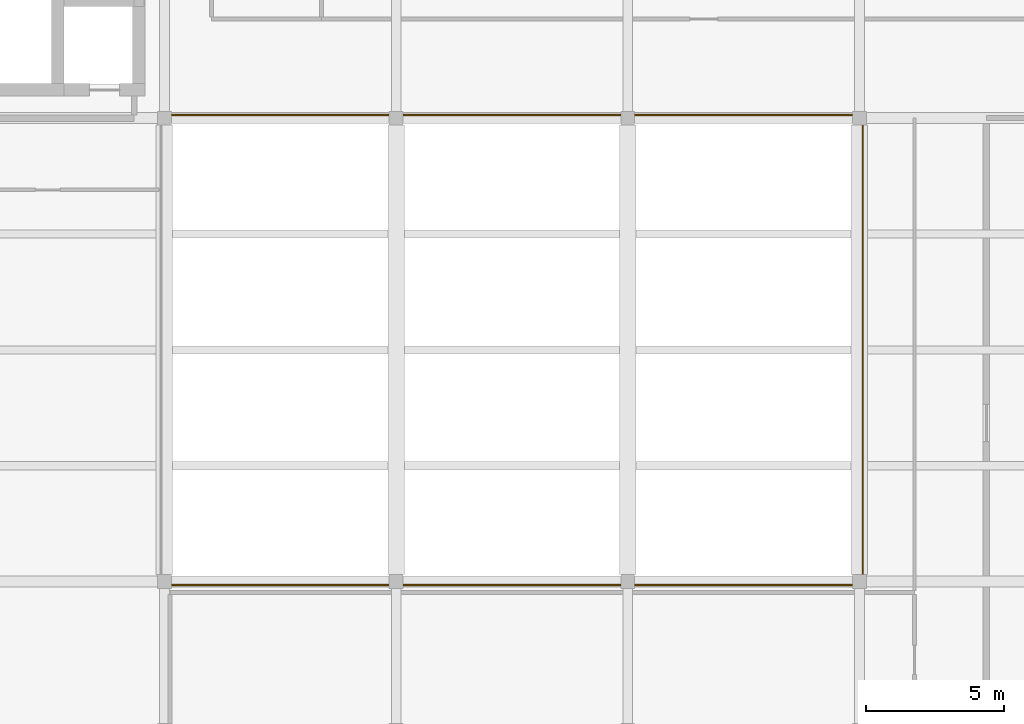
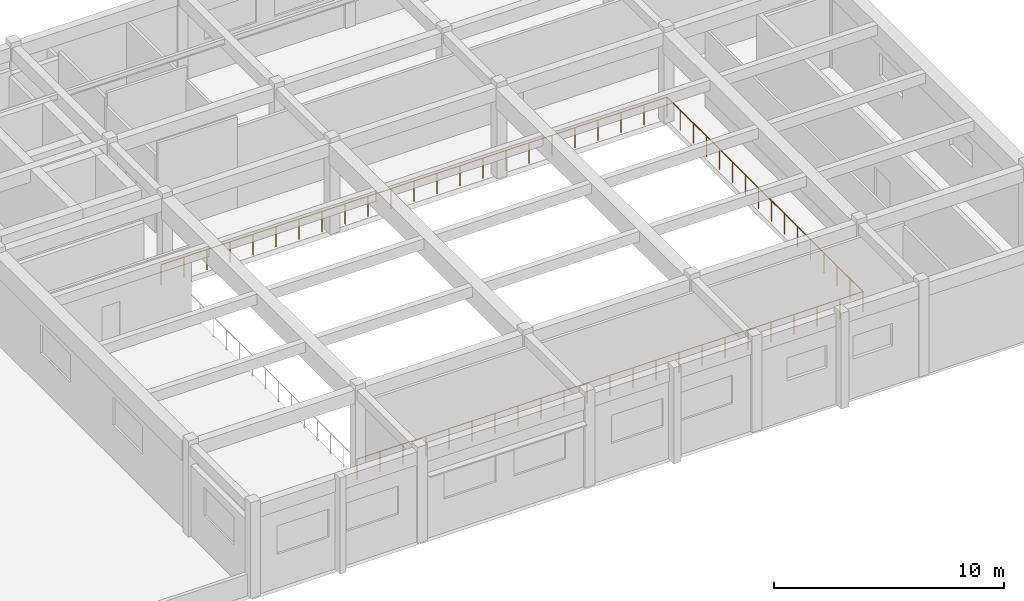
# One storey, part 75 of 77: 3 railings.
"""IFC4 building model written with IfcOpenShell, lengths in metres."""

from ifc_helpers import new_model, si_unit, direction, frame, origin, origin_2d, place, context, subcontext, project, spatial, circle, extrude, material, type_object, element, save


model = new_model("IFC4")

# Units and contexts
model_context = context("Model", 3, precision=1e-05, world=origin(), true_north=direction((0.0, 1.0)))
body_context = subcontext(model_context, "Body", "Model", "MODEL_VIEW")
ifc_project = project(units=[si_unit("LENGTHUNIT", "METRE"), si_unit("AREAUNIT", "SQUARE_METRE"), si_unit("VOLUMEUNIT", "CUBIC_METRE"), si_unit("PLANEANGLEUNIT", "RADIAN"), si_unit("MASSUNIT", "GRAM", prefix="KILO")], contexts=[model_context])

# Site, building, storey
site_placement = place(None, origin())
site = spatial("IfcSite", under=ifc_project, at=site_placement, CompositionType="ELEMENT")
building_placement = place(site_placement, origin())
building = spatial("IfcBuilding", under=site, at=building_placement, Name="Krzemoval Escarpment Law Courts", CompositionType="ELEMENT")
storey_placement = place(building_placement, frame((0.0, 0.0, 15.300048828125)))
storey = spatial("IfcBuildingStorey", under=building, at=storey_placement, Name="L03", CompositionType="ELEMENT", Elevation=15.300048828125)

# Railings
ifc_material = material(Name="Stainless Steel Grade 316L and Laminated Safety Glass Guard", Category="steel")
railing_type = type_object("IfcRailingType", Name="RL-BAL-1100", PredefinedType="BALUSTRADE", material=ifc_material)
railing_1_placement = place(storey_placement, frame((117.47998046875, 5.280029296875, 0.0)))
element("IfcRailing", 1, at=railing_1_placement, inside=storey, type_object=railing_type, Name="Atrium Void Balustrade VG-L03-090", PredefinedType="BALUSTRADE", context=body_context, shape_type="SweptSolid", body=[
    extrude(circle(Radius=0.02392578125, at=origin_2d()), frame((0.0, 0.0, 1.076171875), z_axis=(1.0, 0.0, 0.0), x_axis=(0.0, 1.0, 0.0)), (0.0, 0.0, 1.0), 25.43994140625),
    extrude(circle(Radius=0.02099609375, at=origin_2d()), origin(), (0.0, 0.0, 1.0), 1.052001953125),
    extrude(circle(Radius=0.02099609375, at=origin_2d()), frame((1.15625, 0.0, 0.0)), (0.0, 0.0, 1.0), 1.052001953125),
    extrude(circle(Radius=0.02099609375, at=origin_2d()), frame((2.312744140625, 0.0, 0.0)), (0.0, 0.0, 1.0), 1.052001953125),
    extrude(circle(Radius=0.02099609375, at=origin_2d()), frame((3.468994140625, 0.0, 0.0)), (0.0, 0.0, 1.0), 1.052001953125),
    extrude(circle(Radius=0.02099609375, at=origin_2d()), frame((4.62548828125, 0.0, 0.0)), (0.0, 0.0, 1.0), 1.052001953125),
    extrude(circle(Radius=0.02099609375, at=origin_2d()), frame((5.78173828125, 0.0, 0.0)), (0.0, 0.0, 1.0), 1.052001953125),
    extrude(circle(Radius=0.02099609375, at=origin_2d()), frame((6.938232421875, 0.0, 0.0)), (0.0, 0.0, 1.0), 1.052001953125),
    extrude(circle(Radius=0.02099609375, at=origin_2d()), frame((8.094482421875, 0.0, 0.0)), (0.0, 0.0, 1.0), 1.052001953125),
    extrude(circle(Radius=0.02099609375, at=origin_2d()), frame((9.2509765625, 0.0, 0.0)), (0.0, 0.0, 1.0), 1.052001953125),
    extrude(circle(Radius=0.02099609375, at=origin_2d()), frame((10.4072265625, 0.0, 0.0)), (0.0, 0.0, 1.0), 1.052001953125),
    extrude(circle(Radius=0.02099609375, at=origin_2d()), frame((11.563720703125, 0.0, 0.0)), (0.0, 0.0, 1.0), 1.052001953125),
    extrude(circle(Radius=0.02099609375, at=origin_2d()), frame((12.719970703125, 0.0, 0.0)), (0.0, 0.0, 1.0), 1.052001953125),
    extrude(circle(Radius=0.02099609375, at=origin_2d()), frame((13.876220703125, 0.0, 0.0)), (0.0, 0.0, 1.0), 1.052001953125),
    extrude(circle(Radius=0.02099609375, at=origin_2d()), frame((15.03271484375, 0.0, 0.0)), (0.0, 0.0, 1.0), 1.052001953125),
    extrude(circle(Radius=0.02099609375, at=origin_2d()), frame((16.18896484375, 0.0, 0.0)), (0.0, 0.0, 1.0), 1.052001953125),
    extrude(circle(Radius=0.02099609375, at=origin_2d()), frame((17.345458984375, 0.0, 0.0)), (0.0, 0.0, 1.0), 1.052001953125),
    extrude(circle(Radius=0.02099609375, at=origin_2d()), frame((18.501708984375, 0.0, 0.0)), (0.0, 0.0, 1.0), 1.052001953125),
    extrude(circle(Radius=0.02099609375, at=origin_2d()), frame((19.658203125, 0.0, 0.0)), (0.0, 0.0, 1.0), 1.052001953125),
    extrude(circle(Radius=0.02099609375, at=origin_2d()), frame((20.814453125, 0.0, 0.0)), (0.0, 0.0, 1.0), 1.052001953125),
    extrude(circle(Radius=0.02099609375, at=origin_2d()), frame((21.970947265625, 0.0, 0.0)), (0.0, 0.0, 1.0), 1.052001953125),
    extrude(circle(Radius=0.02099609375, at=origin_2d()), frame((23.127197265625, 0.0, 0.0)), (0.0, 0.0, 1.0), 1.052001953125),
    extrude(circle(Radius=0.02099609375, at=origin_2d()), frame((24.28369140625, 0.0, 0.0)), (0.0, 0.0, 1.0), 1.052001953125),
    extrude(circle(Radius=0.02099609375, at=origin_2d()), frame((25.43994140625, 0.0, 0.0)), (0.0, 0.0, 1.0), 1.052001953125),
])
railing_2_placement = place(storey_placement, frame((142.919921875, 5.280029296875, 0.0)))
element("IfcRailing", 2, at=railing_2_placement, inside=storey, type_object=railing_type, Name="Atrium Void Balustrade VG-L03-091", PredefinedType="BALUSTRADE", context=body_context, shape_type="SweptSolid", body=[
    extrude(circle(Radius=0.02392578125, at=origin_2d()), frame((0.0, 0.0, 1.076171875), z_axis=(0.0, 1.0, 0.0), x_axis=(-1.0, 0.0, 0.0)), (0.0, 0.0, 1.0), 17.0400390625),
    extrude(circle(Radius=0.02099609375, at=origin_2d()), origin(), (0.0, 0.0, 1.0), 1.052001953125),
    extrude(circle(Radius=0.02099609375, at=origin_2d()), frame((0.0, 1.135986328125, 0.0)), (0.0, 0.0, 1.0), 1.052001953125),
    extrude(circle(Radius=0.02099609375, at=origin_2d()), frame((0.0, 2.27197265625, 0.0)), (0.0, 0.0, 1.0), 1.052001953125),
    extrude(circle(Radius=0.02099609375, at=origin_2d()), frame((0.0, 3.407958984375, 0.0)), (0.0, 0.0, 1.0), 1.052001953125),
    extrude(circle(Radius=0.02099609375, at=origin_2d()), frame((0.0, 4.5439453125, 0.0)), (0.0, 0.0, 1.0), 1.052001953125),
    extrude(circle(Radius=0.02099609375, at=origin_2d()), frame((0.0, 5.679931640625, 0.0)), (0.0, 0.0, 1.0), 1.052001953125),
    extrude(circle(Radius=0.02099609375, at=origin_2d()), frame((0.0, 6.81591796875, 0.0)), (0.0, 0.0, 1.0), 1.052001953125),
    extrude(circle(Radius=0.02099609375, at=origin_2d()), frame((0.0, 7.951904296875, 0.0)), (0.0, 0.0, 1.0), 1.052001953125),
    extrude(circle(Radius=0.02099609375, at=origin_2d()), frame((0.0, 9.088134765625, 0.0)), (0.0, 0.0, 1.0), 1.052001953125),
    extrude(circle(Radius=0.02099609375, at=origin_2d()), frame((0.0, 10.22412109375, 0.0)), (0.0, 0.0, 1.0), 1.052001953125),
    extrude(circle(Radius=0.02099609375, at=origin_2d()), frame((0.0, 11.360107421875, 0.0)), (0.0, 0.0, 1.0), 1.052001953125),
    extrude(circle(Radius=0.02099609375, at=origin_2d()), frame((0.0, 12.49609375, 0.0)), (0.0, 0.0, 1.0), 1.052001953125),
    extrude(circle(Radius=0.02099609375, at=origin_2d()), frame((0.0, 13.632080078125, 0.0)), (0.0, 0.0, 1.0), 1.052001953125),
    extrude(circle(Radius=0.02099609375, at=origin_2d()), frame((0.0, 14.76806640625, 0.0)), (0.0, 0.0, 1.0), 1.052001953125),
    extrude(circle(Radius=0.02099609375, at=origin_2d()), frame((0.0, 15.904052734375, 0.0)), (0.0, 0.0, 1.0), 1.052001953125),
    extrude(circle(Radius=0.02099609375, at=origin_2d()), frame((0.0, 17.0400390625, 0.0)), (0.0, 0.0, 1.0), 1.052001953125),
])
railing_3_placement = place(storey_placement, frame((142.919921875, 22.320068359375, 0.0)))
element("IfcRailing", 3, at=railing_3_placement, inside=storey, type_object=railing_type, Name="Atrium Void Balustrade VG-L03-092", PredefinedType="BALUSTRADE", context=body_context, shape_type="SweptSolid", body=[
    extrude(circle(Radius=0.02392578125, at=origin_2d()), frame((0.0, 0.0, 1.076171875), z_axis=(-1.0, 0.0, 0.0), x_axis=(0.0, -1.0, 0.0)), (0.0, 0.0, 1.0), 25.43994140625),
    extrude(circle(Radius=0.02099609375, at=origin_2d()), origin(), (0.0, 0.0, 1.0), 1.052001953125),
    extrude(circle(Radius=0.02099609375, at=origin_2d()), frame((-1.15625, 0.0, 0.0)), (0.0, 0.0, 1.0), 1.052001953125),
    extrude(circle(Radius=0.02099609375, at=origin_2d()), frame((-2.312744140625, 0.0, 0.0)), (0.0, 0.0, 1.0), 1.052001953125),
    extrude(circle(Radius=0.02099609375, at=origin_2d()), frame((-3.468994140625, 0.0, 0.0)), (0.0, 0.0, 1.0), 1.052001953125),
    extrude(circle(Radius=0.02099609375, at=origin_2d()), frame((-4.62548828125, 0.0, 0.0)), (0.0, 0.0, 1.0), 1.052001953125),
    extrude(circle(Radius=0.02099609375, at=origin_2d()), frame((-5.78173828125, 0.0, 0.0)), (0.0, 0.0, 1.0), 1.052001953125),
    extrude(circle(Radius=0.02099609375, at=origin_2d()), frame((-6.938232421875, 0.0, 0.0)), (0.0, 0.0, 1.0), 1.052001953125),
    extrude(circle(Radius=0.02099609375, at=origin_2d()), frame((-8.094482421875, 0.0, 0.0)), (0.0, 0.0, 1.0), 1.052001953125),
    extrude(circle(Radius=0.02099609375, at=origin_2d()), frame((-9.2509765625, 0.0, 0.0)), (0.0, 0.0, 1.0), 1.052001953125),
    extrude(circle(Radius=0.02099609375, at=origin_2d()), frame((-10.4072265625, 0.0, 0.0)), (0.0, 0.0, 1.0), 1.052001953125),
    extrude(circle(Radius=0.02099609375, at=origin_2d()), frame((-11.563720703125, 0.0, 0.0)), (0.0, 0.0, 1.0), 1.052001953125),
    extrude(circle(Radius=0.02099609375, at=origin_2d()), frame((-12.719970703125, 0.0, 0.0)), (0.0, 0.0, 1.0), 1.052001953125),
    extrude(circle(Radius=0.02099609375, at=origin_2d()), frame((-13.876220703125, 0.0, 0.0)), (0.0, 0.0, 1.0), 1.052001953125),
    extrude(circle(Radius=0.02099609375, at=origin_2d()), frame((-15.03271484375, 0.0, 0.0)), (0.0, 0.0, 1.0), 1.052001953125),
    extrude(circle(Radius=0.02099609375, at=origin_2d()), frame((-16.18896484375, 0.0, 0.0)), (0.0, 0.0, 1.0), 1.052001953125),
    extrude(circle(Radius=0.02099609375, at=origin_2d()), frame((-17.345458984375, 0.0, 0.0)), (0.0, 0.0, 1.0), 1.052001953125),
    extrude(circle(Radius=0.02099609375, at=origin_2d()), frame((-18.501708984375, 0.0, 0.0)), (0.0, 0.0, 1.0), 1.052001953125),
    extrude(circle(Radius=0.02099609375, at=origin_2d()), frame((-19.658203125, 0.0, 0.0)), (0.0, 0.0, 1.0), 1.052001953125),
    extrude(circle(Radius=0.02099609375, at=origin_2d()), frame((-20.814453125, 0.0, 0.0)), (0.0, 0.0, 1.0), 1.052001953125),
    extrude(circle(Radius=0.02099609375, at=origin_2d()), frame((-21.970947265625, 0.0, 0.0)), (0.0, 0.0, 1.0), 1.052001953125),
    extrude(circle(Radius=0.02099609375, at=origin_2d()), frame((-23.127197265625, 0.0, 0.0)), (0.0, 0.0, 1.0), 1.052001953125),
    extrude(circle(Radius=0.02099609375, at=origin_2d()), frame((-24.28369140625, 0.0, 0.0)), (0.0, 0.0, 1.0), 1.052001953125),
    extrude(circle(Radius=0.02099609375, at=origin_2d()), frame((-25.43994140625, 0.0, 0.0)), (0.0, 0.0, 1.0), 1.052001953125),
])

save(model, "model.ifc")
